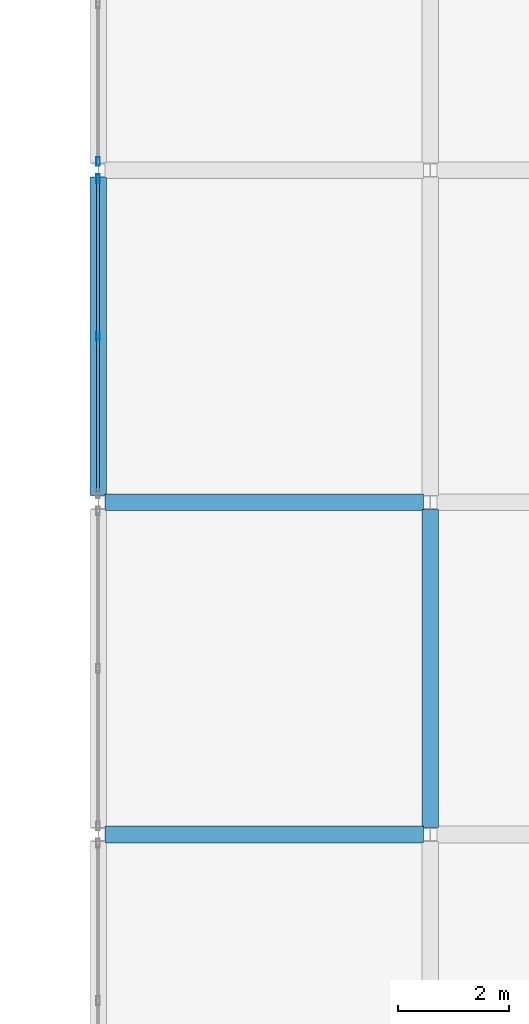
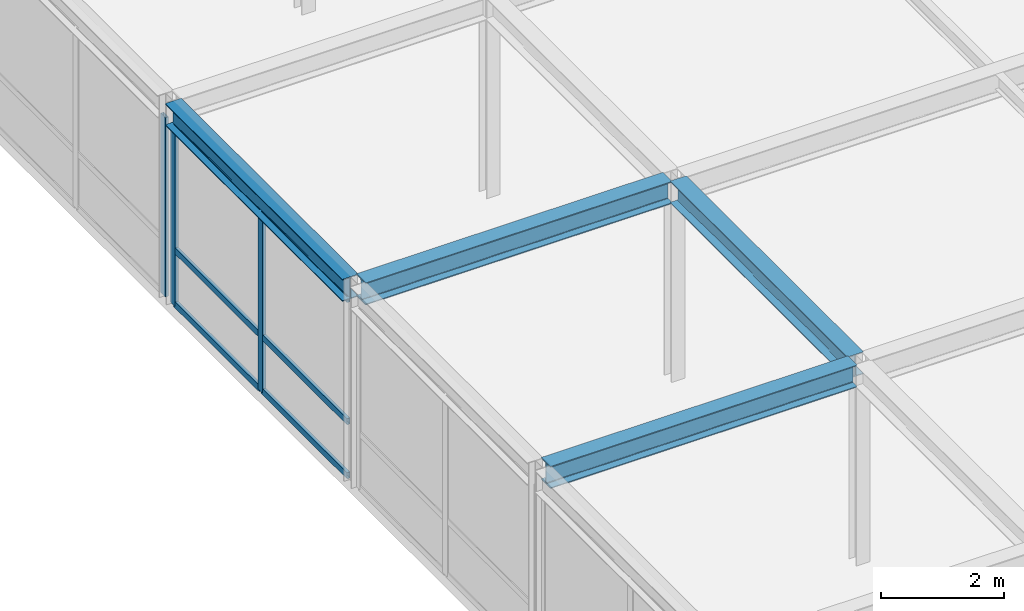
# One storey, part 89 of 111: 9 members, 4 beams, 2 elements without a shape of their own.
"""IFC4 building model written with IfcOpenShell, lengths in metres."""

from ifc_helpers import new_model, si_unit, direction, frame, origin, origin_2d, place, context, subcontext, project, spatial, hollow_rectangle, i_section, extrude, material, layer, layer_set, material_profile, profile_set, type_object, element, aggregate, save


model = new_model("IFC4")

# Units and contexts
model_context = context("Model", 3, precision=1e-05, world=origin(), true_north=direction((0.0, 1.0)))
body_context = subcontext(model_context, "Body", "Model", "MODEL_VIEW")
ifc_project = project(units=[si_unit("LENGTHUNIT", "METRE"), si_unit("AREAUNIT", "SQUARE_METRE"), si_unit("VOLUMEUNIT", "CUBIC_METRE"), si_unit("PLANEANGLEUNIT", "RADIAN"), si_unit("MASSUNIT", "GRAM", prefix="KILO")], contexts=[model_context])

# Site, building, storey
site_placement = place(None, origin())
site = spatial("IfcSite", under=ifc_project, at=site_placement, CompositionType="ELEMENT")
building_placement = place(site_placement, origin())
building = spatial("IfcBuilding", under=site, at=building_placement, Name="Zlatovratsky Civic Hall", CompositionType="ELEMENT")
storey_placement = place(building_placement, frame((0.0, 0.0, 16.5)))
storey = spatial("IfcBuildingStorey", under=building, at=storey_placement, Name="L04", CompositionType="ELEMENT", Elevation=16.5)

# Beams
ifc_material_1 = material(Name="Steel S355", Category="steel")
ifc_material_profile_1 = material_profile(ifc_material_1, i_section(OverallWidth=0.300048828125, OverallDepth=0.43994140625, WebThickness=0.010986328125, FlangeThickness=0.01806640625, FilletRadius=0.02197265625, at=origin_2d()), Name="45Sh1")
ifc_profile_set_1 = profile_set([ifc_material_profile_1], Name="Steel S355")
beam_type = type_object("IfcBeamType", Name="Beam_TowerLow_45Sh1", PredefinedType="BEAM", material=ifc_profile_set_1)
for number, where, z_axis, x_axis, name in (
    (1, (150.125, 48.0, 3.780029296875), (1.0, 0.0, 0.0), (0.0, 1.0, 0.0), "BM-3308"),
    (2, (150.125, 54.0, 3.780029296875), (1.0, 0.0, 0.0), (0.0, 1.0, 0.0), "BM-3318"),
    (3, (150.0, 54.125, 3.780029296875), (0.0, 1.0, 0.0), (-1.0, 0.0, 0.0), "BM-3785"),
    (4, (156.0, 48.125, 3.780029296875), (0.0, 1.0, 0.0), (-1.0, 0.0, 0.0), "BM-3801"),
):
    element("IfcBeam", number, at=place(storey_placement, frame(where, z_axis=z_axis, x_axis=x_axis)), inside=storey, type_object=beam_type, Name=name, PredefinedType="BEAM", context=body_context, shape_type="SweptSolid", body=[
        extrude(i_section(OverallWidth=0.300048828125, OverallDepth=0.43994140625, WebThickness=0.010986328125, FlangeThickness=0.01806640625, FilletRadius=0.02197265625, at=origin_2d()), origin(), (0.0, 0.0, 1.0), 5.75),
    ])

# Curtain wall, members
ifc_material_2 = material(Name="Anodised bronze aluminium", Category="aluminium")
ifc_layer = layer(ifc_material_2, 0.159912109375)
ifc_layer_set = layer_set([ifc_layer], Name="Anodised bronze aluminium")
curtain_wall_type = type_object("IfcCurtainWallType", Name="CurtainWall_Bronze_5750x3550_18", PredefinedType="NOTDEFINED", material=ifc_layer_set)
curtain_wall_1_placement = place(storey_placement, origin())
curtain_wall_1 = element("IfcCurtainWall", 5, at=curtain_wall_1_placement, inside=storey, type_object=curtain_wall_type, Name="CW-127", PredefinedType="NOTDEFINED")
ifc_material_profile_2 = material_profile(ifc_material_2, hollow_rectangle(XDim=0.06005859375, YDim=0.159912109375, WallThickness=0.00390625, at=origin_2d()), Name="ALU 60x160x4")
ifc_profile_set_2 = profile_set([ifc_material_profile_2], Name="Anodised bronze aluminium")
member_type_1 = type_object("IfcMemberType", Name="CW_Mullion_60x160", PredefinedType="MULLION", material=ifc_profile_set_2)
member_1_placement = place(storey_placement, frame((150.0, 57.0, 0.0), z_axis=(0.0, 0.0, 1.0), x_axis=(-1.0, 0.0, 0.0)))
member_1 = element("IfcMember", 6, at=member_1_placement, type_object=member_type_1, Name="CW-18 mullion 2", PredefinedType="MULLION", context=body_context, shape_type="SweptSolid", body=[
    extrude(hollow_rectangle(XDim=0.06005859375, YDim=0.159912109375, WallThickness=0.00390625, at=origin_2d()), origin(), (0.0, 0.0, 1.0), 3.550048828125),
])
member_2_placement = place(storey_placement, frame((150.0, 59.844970703125, 0.0), z_axis=(0.0, 0.0, 1.0), x_axis=(-1.0, 0.0, 0.0)))
member_2 = element("IfcMember", 7, at=member_2_placement, type_object=member_type_1, Name="CW-18 mullion 3", PredefinedType="MULLION", context=body_context, shape_type="SweptSolid", body=[
    extrude(hollow_rectangle(XDim=0.06005859375, YDim=0.159912109375, WallThickness=0.00390625, at=origin_2d()), origin(), (0.0, 0.0, 1.0), 3.550048828125),
])

# Curtain wall, member
curtain_wall_2_placement = place(storey_placement, origin())
curtain_wall_2 = element("IfcCurtainWall", 8, at=curtain_wall_2_placement, inside=storey, type_object=curtain_wall_type, Name="CW-128", PredefinedType="NOTDEFINED")
member_3_placement = place(storey_placement, frame((150.0, 60.155029296875, 0.0), z_axis=(0.0, 0.0, 1.0), x_axis=(-1.0, 0.0, 0.0)))
member_3 = element("IfcMember", 9, at=member_3_placement, type_object=member_type_1, Name="CW-18 mullion 1", PredefinedType="MULLION", context=body_context, shape_type="SweptSolid", body=[
    extrude(hollow_rectangle(XDim=0.06005859375, YDim=0.159912109375, WallThickness=0.00390625, at=origin_2d()), origin(), (0.0, 0.0, 1.0), 3.550048828125),
])
aggregate(curtain_wall_2, [member_3])

# Member
ifc_material_profile_3 = material_profile(ifc_material_2, hollow_rectangle(XDim=0.06005859375, YDim=0.1201171875, WallThickness=0.00390625, at=origin_2d()), Name="ALU 60x120x4")
ifc_profile_set_3 = profile_set([ifc_material_profile_3], Name="Anodised bronze aluminium")
member_type_2 = type_object("IfcMemberType", Name="CW_Transom_60x120", PredefinedType="USERDEFINED", material=ifc_profile_set_3)
member_4_placement = place(storey_placement, frame((150.0, 54.18505859375, 0.030029296875), z_axis=(0.0, 1.0, 0.0), x_axis=(-1.0, 0.0, 0.0)))
member_4 = element("IfcMember", 10, at=member_4_placement, type_object=member_type_2, Name="CW-18 transom 1.1", ObjectType="TRANSOM", PredefinedType="USERDEFINED", context=body_context, shape_type="SweptSolid", body=[
    extrude(hollow_rectangle(XDim=0.06005859375, YDim=0.1201171875, WallThickness=0.00390625, at=origin_2d()), origin(), (0.0, 0.0, 1.0), 2.784912109375),
])

member_5_placement = place(storey_placement, frame((150.0, 54.18505859375, 1.10009765625), z_axis=(0.0, 1.0, 0.0), x_axis=(-1.0, 0.0, 0.0)))
member_5 = element("IfcMember", 11, at=member_5_placement, type_object=member_type_2, Name="CW-18 transom 1.2", ObjectType="TRANSOM", PredefinedType="USERDEFINED", context=body_context, shape_type="SweptSolid", body=[
    extrude(hollow_rectangle(XDim=0.06005859375, YDim=0.1201171875, WallThickness=0.00390625, at=origin_2d()), origin(), (0.0, 0.0, 1.0), 2.784912109375),
])

member_6_placement = place(storey_placement, frame((150.0, 54.18505859375, 3.52001953125), z_axis=(0.0, 1.0, 0.0), x_axis=(-1.0, 0.0, 0.0)))
member_6 = element("IfcMember", 12, at=member_6_placement, type_object=member_type_2, Name="CW-18 transom 1.3", ObjectType="TRANSOM", PredefinedType="USERDEFINED", context=body_context, shape_type="SweptSolid", body=[
    extrude(hollow_rectangle(XDim=0.06005859375, YDim=0.1201171875, WallThickness=0.00390625, at=origin_2d()), origin(), (0.0, 0.0, 1.0), 2.784912109375),
])

member_7_placement = place(storey_placement, frame((150.0, 57.030029296875, 0.030029296875), z_axis=(0.0, 1.0, 0.0), x_axis=(-1.0, 0.0, 0.0)))
member_7 = element("IfcMember", 13, at=member_7_placement, type_object=member_type_2, Name="CW-18 transom 2.1", ObjectType="TRANSOM", PredefinedType="USERDEFINED", context=body_context, shape_type="SweptSolid", body=[
    extrude(hollow_rectangle(XDim=0.06005859375, YDim=0.1201171875, WallThickness=0.00390625, at=origin_2d()), origin(), (0.0, 0.0, 1.0), 2.784912109375),
])

member_8_placement = place(storey_placement, frame((150.0, 57.030029296875, 1.10009765625), z_axis=(0.0, 1.0, 0.0), x_axis=(-1.0, 0.0, 0.0)))
member_8 = element("IfcMember", 14, at=member_8_placement, type_object=member_type_2, Name="CW-18 transom 2.2", ObjectType="TRANSOM", PredefinedType="USERDEFINED", context=body_context, shape_type="SweptSolid", body=[
    extrude(hollow_rectangle(XDim=0.06005859375, YDim=0.1201171875, WallThickness=0.00390625, at=origin_2d()), origin(), (0.0, 0.0, 1.0), 2.784912109375),
])

member_9_placement = place(storey_placement, frame((150.0, 57.030029296875, 3.52001953125), z_axis=(0.0, 1.0, 0.0), x_axis=(-1.0, 0.0, 0.0)))
member_9 = element("IfcMember", 15, at=member_9_placement, type_object=member_type_2, Name="CW-18 transom 2.3", ObjectType="TRANSOM", PredefinedType="USERDEFINED", context=body_context, shape_type="SweptSolid", body=[
    extrude(hollow_rectangle(XDim=0.06005859375, YDim=0.1201171875, WallThickness=0.00390625, at=origin_2d()), origin(), (0.0, 0.0, 1.0), 2.784912109375),
])

aggregate(curtain_wall_1, [member_1, member_2, member_4, member_5, member_6, member_7, member_8, member_9])

save(model, "model.ifc")
